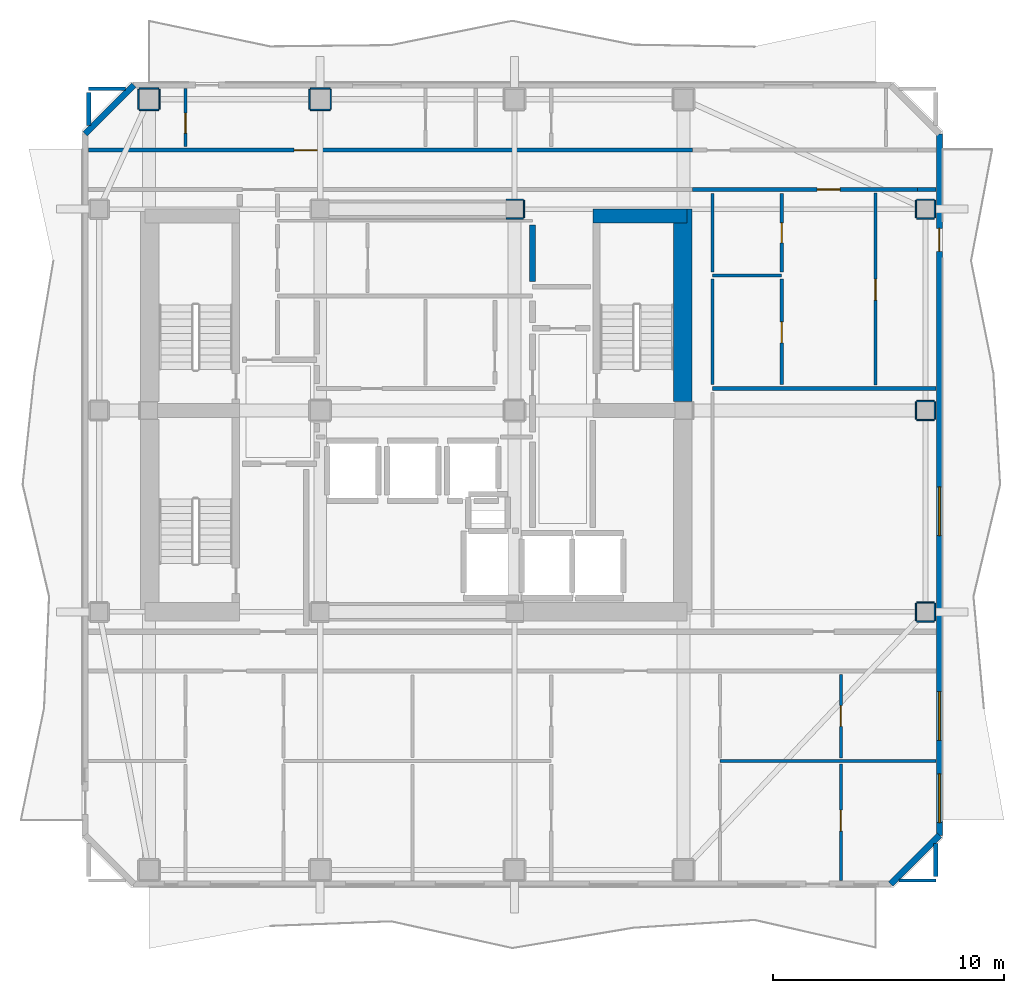
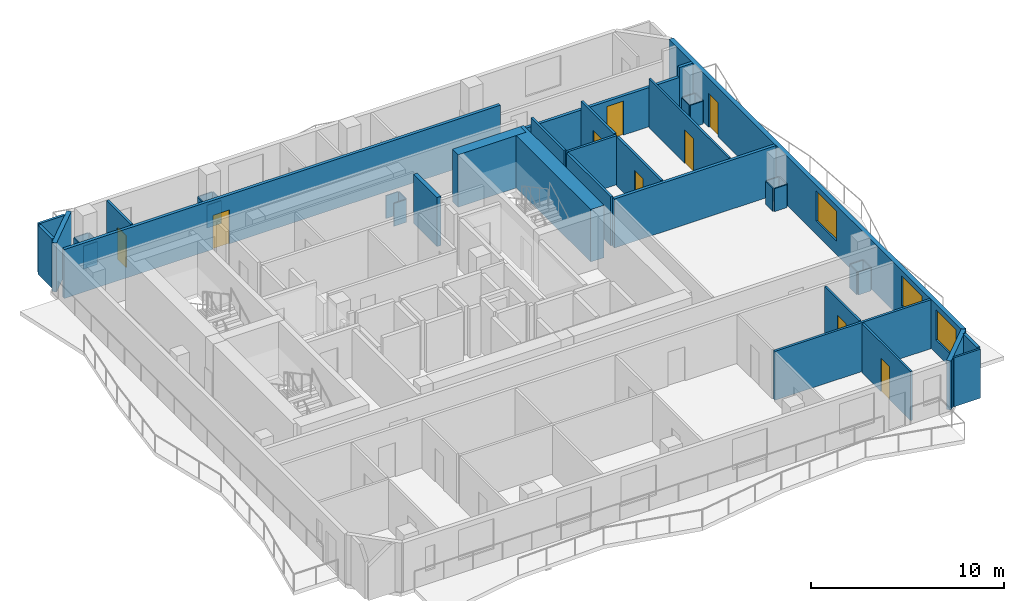
# One storey, part 5 of 9: 47 walls, 9 doors, 3 windows, 12 openings.
"""IFC4 building model written with IfcOpenShell, lengths in metres."""

from ifc_helpers import new_model, si_unit, direction, frame, frame_2d, origin, place, context, subcontext, project, spatial, rectangle, extrude, material, layer, layer_set, type_object, element, fill, save


model = new_model("IFC4")

# Units and contexts
model_context = context("Model", 3, precision=1e-05, world=origin(), true_north=direction((0.0, 1.0)))
body_context = subcontext(model_context, "Body", "Model", "MODEL_VIEW")
ifc_project = project(units=[si_unit("LENGTHUNIT", "METRE"), si_unit("AREAUNIT", "SQUARE_METRE"), si_unit("VOLUMEUNIT", "CUBIC_METRE"), si_unit("PLANEANGLEUNIT", "RADIAN"), si_unit("MASSUNIT", "GRAM", prefix="KILO")], contexts=[model_context])

# Site, building, storey
site_placement = place(None, origin())
site = spatial("IfcSite", under=ifc_project, at=site_placement, CompositionType="ELEMENT")
building_placement = place(site_placement, origin())
building = spatial("IfcBuilding", under=site, at=building_placement, Name="Solanera Arch Residences", CompositionType="ELEMENT")
storey_placement = place(building_placement, frame((0.0, 0.0, 213.39990234375)))
storey = spatial("IfcBuildingStorey", under=building, at=storey_placement, Name="L62", CompositionType="ELEMENT", Elevation=213.39990234375)

# Walls
ifc_material_1 = material(Name="Fire-Rated Gypsum Stud Partition", Category="gypsum")
ifc_layer_1 = layer(ifc_material_1, 0.06005859375)
ifc_layer_set_1 = layer_set([ifc_layer_1], Name="Fire-Rated Gypsum Stud Partition")
wall_type_1 = type_object("IfcWallType", Name="Column Acoustic Furring Wall 60", PredefinedType="PARTITIONING", material=ifc_layer_set_1)
for number, where, z_axis, x_axis, name in (
    (1, (28.8330078125, 38.992919921875, 0.0), (0.0, 0.0, 1.0), (1.0, 0.0, 0.0), "L62 Column Furring 4S"),
    (2, (28.8330078125, 39.806884765625, 0.0), (0.0, 0.0, 1.0), (1.0, 0.0, 0.0), "L62 Column Furring 4N"),
):
    element("IfcWall", number, at=place(storey_placement, frame(where, z_axis=z_axis, x_axis=x_axis)), inside=storey, type_object=wall_type_1, Name=name, PredefinedType="PARTITIONING", context=body_context, shape_type="SweptSolid", body=[
        extrude(rectangle(XDim=0.741943359375, YDim=0.06005859375, at=frame_2d((0.37109375, 0.0))), origin(), (0.0, 0.0, 1.0), 1.4501953125),
    ])
wall_1_placement = place(storey_placement, frame((29.60693359375, 39.02490234375, 0.0), z_axis=(0.0, 0.0, 1.0), x_axis=(0.0, 1.0, 0.0)))
element("IfcWall", 3, at=wall_1_placement, inside=storey, type_object=wall_type_1, Name="L62 Column Furring 4E", PredefinedType="PARTITIONING", context=body_context, shape_type="SweptSolid", body=[
    extrude(rectangle(XDim=0.75, YDim=0.06005859375, at=frame_2d((0.375, 0.0))), origin(), (0.0, 0.0, 1.0), 1.4501953125),
])
for number, where, z_axis, x_axis, name in (
    (4, (12.97509765625, 43.693115234375, 0.0), (0.0, 0.0, 1.0), (1.0, 0.0, 0.0), "L62 Column Furring 10S"),
    (5, (12.97509765625, 44.60693359375, 0.0), (0.0, 0.0, 1.0), (1.0, 0.0, 0.0), "L62 Column Furring 10N"),
    (6, (12.943115234375, 43.72509765625, 0.0), (0.0, 0.0, 1.0), (0.0, 1.0, 0.0), "L62 Column Furring 10W"),
    (7, (13.85693359375, 43.72509765625, 0.0), (0.0, 0.0, 1.0), (0.0, 1.0, 0.0), "L62 Column Furring 10E"),
):
    element("IfcWall", number, at=place(storey_placement, frame(where, z_axis=z_axis, x_axis=x_axis)), inside=storey, type_object=wall_type_1, Name=name, PredefinedType="PARTITIONING", context=body_context, shape_type="SweptSolid", body=[
        extrude(rectangle(XDim=0.849853515625, YDim=0.06005859375, at=frame_2d((0.4248046875, 0.0))), origin(), (0.0, 0.0, 1.0), 1.4501953125),
    ])
for number, where, z_axis, x_axis, name in (
    (8, (20.375, 43.693115234375, 0.0), (0.0, 0.0, 1.0), (1.0, 0.0, 0.0), "L62 Column Furring 12S"),
    (9, (20.375, 44.60693359375, 0.0), (0.0, 0.0, 1.0), (1.0, 0.0, 0.0), "L62 Column Furring 12N"),
):
    element("IfcWall", number, at=place(storey_placement, frame(where, z_axis=z_axis, x_axis=x_axis)), inside=storey, type_object=wall_type_1, Name=name, PredefinedType="PARTITIONING", context=body_context, shape_type="SweptSolid", body=[
        extrude(rectangle(XDim=0.85009765625, YDim=0.06005859375, at=frame_2d((0.425048828125, 0.0))), origin(), (0.0, 0.0, 1.0), 1.4501953125),
    ])
for number, where, z_axis, x_axis, name in (
    (10, (20.343017578125, 43.72509765625, 0.0), (0.0, 0.0, 1.0), (0.0, 1.0, 0.0), "L62 Column Furring 12W"),
    (11, (21.257080078125, 43.72509765625, 0.0), (0.0, 0.0, 1.0), (0.0, 1.0, 0.0), "L62 Column Furring 12E"),
):
    element("IfcWall", number, at=place(storey_placement, frame(where, z_axis=z_axis, x_axis=x_axis)), inside=storey, type_object=wall_type_1, Name=name, PredefinedType="PARTITIONING", context=body_context, shape_type="SweptSolid", body=[
        extrude(rectangle(XDim=0.849853515625, YDim=0.06005859375, at=frame_2d((0.4248046875, 0.0))), origin(), (0.0, 0.0, 1.0), 1.4501953125),
    ])
for number, where, z_axis, x_axis, name in (
    (12, (46.574951171875, 21.593017578125, 0.0), (0.0, 0.0, 1.0), (1.0, 0.0, 0.0), "L62 Column Furring 18S"),
    (13, (46.574951171875, 22.406982421875, 0.0), (0.0, 0.0, 1.0), (1.0, 0.0, 0.0), "L62 Column Furring 18N"),
    (14, (46.54296875, 21.625, 0.0), (0.0, 0.0, 1.0), (0.0, 1.0, 0.0), "L62 Column Furring 18W"),
    (15, (47.35693359375, 21.625, 0.0), (0.0, 0.0, 1.0), (0.0, 1.0, 0.0), "L62 Column Furring 18E"),
    (16, (46.574951171875, 30.29296875, 0.0), (0.0, 0.0, 1.0), (1.0, 0.0, 0.0), "L62 Column Furring 20S"),
    (17, (46.574951171875, 31.10693359375, 0.0), (0.0, 0.0, 1.0), (1.0, 0.0, 0.0), "L62 Column Furring 20N"),
    (18, (46.54296875, 30.324951171875, 0.0), (0.0, 0.0, 1.0), (0.0, 1.0, 0.0), "L62 Column Furring 20W"),
    (19, (47.35693359375, 30.324951171875, 0.0), (0.0, 0.0, 1.0), (0.0, 1.0, 0.0), "L62 Column Furring 20E"),
    (20, (46.574951171875, 38.992919921875, 0.0), (0.0, 0.0, 1.0), (1.0, 0.0, 0.0), "L62 Column Furring 22S"),
    (21, (46.574951171875, 39.806884765625, 0.0), (0.0, 0.0, 1.0), (1.0, 0.0, 0.0), "L62 Column Furring 22N"),
    (22, (46.54296875, 39.02490234375, 0.0), (0.0, 0.0, 1.0), (0.0, 1.0, 0.0), "L62 Column Furring 22W"),
    (23, (47.35693359375, 39.02490234375, 0.0), (0.0, 0.0, 1.0), (0.0, 1.0, 0.0), "L62 Column Furring 22E"),
):
    element("IfcWall", number, at=place(storey_placement, frame(where, z_axis=z_axis, x_axis=x_axis)), inside=storey, type_object=wall_type_1, Name=name, PredefinedType="PARTITIONING", context=body_context, shape_type="SweptSolid", body=[
        extrude(rectangle(XDim=0.75, YDim=0.06005859375, at=frame_2d((0.375, 0.0))), origin(), (0.0, 0.0, 1.0), 1.4501953125),
    ])
ifc_material_2 = material(Name="Concrete C40/50 (f'c = 45 MPa)", Category="concrete")
ifc_layer_2 = layer(ifc_material_2, 0.60009765625)
ifc_layer_set_2 = layer_set([ifc_layer_2], Name="Concrete C40/50 (f'c = 45 MPa)")
wall_type_2 = type_object("IfcWallType", Name="Core Shear Wall CW-600", PredefinedType="SHEAR", material=ifc_layer_set_2)
wall_2_placement = place(storey_placement, frame((32.580078125, 39.10009765625, 0.0), z_axis=(0.0, 0.0, 1.0), x_axis=(1.0, 0.0, 0.0)))
element("IfcWall", 24, at=wall_2_placement, inside=storey, type_object=wall_type_2, Name="L62 North-East Core Shear Wall", PredefinedType="SHEAR", context=body_context, shape_type="SweptSolid", body=[
    extrude(rectangle(XDim=4.079833984375, YDim=0.60009765625, at=frame_2d((2.0400390625, 0.0))), origin(), (0.0, 0.0, 1.0), 3.320068359375),
])
ifc_material_3 = material(Name="Concrete C40/50 (f'c = 45 MPa)", Category="concrete")
ifc_layer_3 = layer(ifc_material_3, 0.800048828125)
ifc_layer_set_3 = layer_set([ifc_layer_3], Name="Concrete C40/50 (f'c = 45 MPa)")
wall_type_3 = type_object("IfcWallType", Name="Core Shear Wall CW-800", PredefinedType="SHEAR", material=ifc_layer_set_3)
wall_3_placement = place(storey_placement, frame((36.4599609375, 31.080078125, 0.0), z_axis=(0.0, 0.0, 1.0), x_axis=(0.0, 1.0, 0.0)))
element("IfcWall", 25, at=wall_3_placement, inside=storey, type_object=wall_type_3, Name="L62 East Core North Shear Wall", PredefinedType="SHEAR", context=body_context, shape_type="SweptSolid", body=[
    extrude(rectangle(XDim=8.31982421875, YDim=0.800048828125, at=frame_2d((4.159912109375, 0.0))), origin(), (0.0, 0.0, 1.0), 3.320068359375),
])
ifc_material_4 = material(Name="Autoclaved Aerated Concrete Blockwork", Category="masonry")
ifc_layer_4 = layer(ifc_material_4, 0.179931640625)
ifc_layer_set_4 = layer_set([ifc_layer_4], Name="Autoclaved Aerated Concrete Blockwork")
wall_type_4 = type_object("IfcWallType", Name="Corridor Fire Partition 180", PredefinedType="PARTITIONING", material=ifc_layer_set_4)
wall_4_placement = place(storey_placement, frame((37.75, 31.64990234375, 0.0), z_axis=(0.0, 0.0, 1.0), x_axis=(1.0, 0.0, 0.0)))
element("IfcWall", 26, at=wall_4_placement, inside=storey, type_object=wall_type_4, Name="L62 Interior Partition H9", PredefinedType="PARTITIONING", context=body_context, shape_type="SweptSolid", body=[
    extrude(rectangle(XDim=9.6630859375, YDim=0.179931640625, at=frame_2d((4.83154296875, 0.0))), origin(), (0.0, 0.0, 1.0), 3.10009765625),
])

# Wall, opening, door
wall_5_placement = place(storey_placement, frame((36.888916015625, 40.25, 0.0), z_axis=(0.0, 0.0, 1.0), x_axis=(1.0, 0.0, 0.0)))
wall_5 = element("IfcWall", 27, at=wall_5_placement, inside=storey, type_object=wall_type_4, Name="L62 Interior Partition H12 2", PredefinedType="PARTITIONING", context=body_context, shape_type="SweptSolid", body=[
    extrude(rectangle(XDim=9.72216796875, YDim=0.179931640625, at=frame_2d((4.861083984375, 0.0))), origin(), (0.0, 0.0, 1.0), 2.47705078125),
])
opening_1_placement = place(wall_5_placement, frame((5.3798828125, 0.0, 0.0)))
opening_1 = element("IfcOpeningElement", 28, at=opening_1_placement, cuts=wall_5, Name="Opening DI-01", PredefinedType="OPENING", context=body_context, shape_type="SweptSolid", body=[
    extrude(rectangle(XDim=1.0, YDim=2.14990234375, at=frame_2d((0.5, 1.074951171875))), frame((0.0, 0.10009765625, 0.0), z_axis=(0.0, -1.0, 0.0), x_axis=(1.0, 0.0, 0.0)), (0.0, 0.0, 1.0), 0.1999),
])
ifc_material_5 = material(Name="Fire-Rated Architectural Hardwood", Category="wood")
door_type_1 = type_object("IfcDoorType", Name="Unit Entrance Fire Door DI-01", OperationType="NOTDEFINED", PredefinedType="DOOR", material=ifc_material_5)
door_1_placement = place(opening_1_placement, origin())
door_1 = element("IfcDoor", 29, at=door_1_placement, inside=storey, type_object=door_type_1, Name="DR-L62-IN-033", OperationType="SINGLE_SWING_RIGHT", OverallHeight=2.14990234375, OverallWidth=1.0, PredefinedType="DOOR", context=body_context, shape_type="SweptSolid", body=[
    extrude(rectangle(XDim=1.0, YDim=2.14990234375, at=frame_2d((0.5, 1.074951171875))), frame((0.0, 0.02490234375, 0.0), z_axis=(0.0, -1.0, 0.0), x_axis=(1.0, 0.0, 0.0)), (0.0, 0.0, 1.0), 0.050048828125),
])
fill(opening_1, door_1)

# Wall
wall_6_placement = place(storey_placement, frame((46.611083984375, 40.25, 0.0), z_axis=(0.0, 0.0, 1.0), x_axis=(1.0, 0.0, 0.0)))
element("IfcWall", 30, at=wall_6_placement, inside=storey, type_object=wall_type_4, Name="L62 Interior Partition H12 3", PredefinedType="PARTITIONING", context=body_context, shape_type="SweptSolid", body=[
    extrude(rectangle(XDim=0.802001953125, YDim=0.179931640625, at=frame_2d((0.40087890625, 0.0))), origin(), (0.0, 0.0, 1.0), 3.10009765625),
])

# Wall, opening, door
wall_7_placement = place(storey_placement, frame((10.787109375, 41.949951171875, 0.0), z_axis=(0.0, 0.0, 1.0), x_axis=(1.0, 0.0, 0.0)))
wall_7 = element("IfcWall", 31, at=wall_7_placement, inside=storey, type_object=wall_type_4, Name="L62 Interior Partition H13 1", PredefinedType="PARTITIONING", context=body_context, shape_type="SweptSolid", body=[
    extrude(rectangle(XDim=26.101806640625, YDim=0.179931640625, at=frame_2d((13.05078125, 0.0))), origin(), (0.0, 0.0, 1.0), 3.10009765625),
])
opening_2_placement = place(wall_7_placement, frame((8.887939453125, 0.0, 0.0)))
opening_2 = element("IfcOpeningElement", 32, at=opening_2_placement, cuts=wall_7, Name="Opening DI-01", PredefinedType="OPENING", context=body_context, shape_type="SweptSolid", body=[
    extrude(rectangle(XDim=1.0, YDim=2.14990234375, at=frame_2d((0.5, 1.074951171875))), frame((0.0, 0.10009765625, 0.0), z_axis=(0.0, -1.0, 0.0), x_axis=(1.0, 0.0, 0.0)), (0.0, 0.0, 1.0), 0.1999),
])
door_2_placement = place(opening_2_placement, origin())
door_2 = element("IfcDoor", 33, at=door_2_placement, inside=storey, type_object=door_type_1, Name="DR-L62-IN-026", OperationType="SINGLE_SWING_LEFT", OverallHeight=2.14990234375, OverallWidth=1.0, PredefinedType="DOOR", context=body_context, shape_type="SweptSolid", body=[
    extrude(rectangle(XDim=1.0, YDim=2.14990234375, at=frame_2d((0.5, 1.074951171875))), frame((0.0, 0.02490234375, 0.0), z_axis=(0.0, -1.0, 0.0), x_axis=(1.0, 0.0, 0.0)), (0.0, 0.0, 1.0), 0.050048828125),
])
fill(opening_2, door_2)

# Walls
wall_8_placement = place(storey_placement, frame((10.800048828125, 43.010986328125, 0.0), z_axis=(0.0, 0.0, 1.0), x_axis=(0.0, 1.0, 0.0)))
element("IfcWall", 34, at=wall_8_placement, inside=storey, type_object=wall_type_4, Name="L62 Interior Partition V7", PredefinedType="PARTITIONING", context=body_context, shape_type="SweptSolid", body=[
    extrude(rectangle(XDim=1.4208984375, YDim=0.179931640625, at=frame_2d((0.71044921875, 0.0))), origin(), (0.0, 0.0, 1.0), 3.10009765625),
])
wall_9_placement = place(storey_placement, frame((47.39990234375, 10.55810546875, 0.0), z_axis=(0.0, 0.0, 1.0), x_axis=(0.0, 1.0, 0.0)))
element("IfcWall", 35, at=wall_9_placement, inside=storey, type_object=wall_type_4, Name="L62 Interior Partition V10 1", PredefinedType="PARTITIONING", context=body_context, shape_type="SweptSolid", body=[
    extrude(rectangle(XDim=1.430908203125, YDim=0.179931640625, at=frame_2d((0.71533203125, 0.0))), origin(), (0.0, 0.0, 1.0), 3.10009765625),
])
ifc_material_6 = material(Name="Precast Concrete C35/45", Category="concrete")
ifc_layer_5 = layer(ifc_material_6, 0.260009765625)
ifc_layer_set_5 = layer_set([ifc_layer_5], Name="Precast Concrete C35/45")
wall_type_5 = type_object("IfcWallType", Name="Exterior Wall Precast Masonry-Frame 260", PredefinedType="STANDARD", material=ifc_layer_set_5)
wall_10_placement = place(storey_placement, frame((10.64501953125, 42.655029296875, 0.0), z_axis=(0.0, 0.0, 1.0), x_axis=(0.707147883682, 0.707065676302, 0.0)))
element("IfcWall", 36, at=wall_10_placement, inside=storey, type_object=wall_type_5, Name="L62 Tower Exterior Precast Masonry-Frame Wall CH1", PredefinedType="STANDARD", context=body_context, shape_type="SweptSolid", body=[
    extrude(rectangle(XDim=2.9697265625, YDim=0.260009765625, at=frame_2d((1.48486328125, 0.0))), origin(), (0.0, 0.0, 1.0), 3.10009765625),
])

# Wall, openings, door, windows
wall_11_placement = place(storey_placement, frame((47.554931640625, 42.655029296875, 0.0), z_axis=(0.0, 0.0, 1.0), x_axis=(0.0, -1.0, 0.0)))
wall_11 = element("IfcWall", 37, at=wall_11_placement, inside=storey, type_object=wall_type_5, Name="L62 Tower Exterior Precast Masonry-Frame Wall E", PredefinedType="STANDARD", context=body_context, shape_type="SweptSolid", body=[
    extrude(rectangle(XDim=30.31005859375, YDim=0.260009765625, at=frame_2d((15.155029296875, 0.0))), origin(), (0.0, 0.0, 1.0), 3.10009765625),
])
opening_3_placement = place(wall_11_placement, frame((4.08203125, 0.0, 0.0)))
opening_3 = element("IfcOpeningElement", 38, at=opening_3_placement, cuts=wall_11, Name="Opening DB-01", PredefinedType="OPENING", context=body_context, shape_type="SweptSolid", body=[
    extrude(rectangle(XDim=1.0, YDim=2.14990234375, at=frame_2d((0.5, 1.074951171875))), frame((0.0, 0.139892578125, 0.0), z_axis=(0.0, -1.0, 0.0), x_axis=(1.0, 0.0, 0.0)), (0.0, 0.0, 1.0), 0.28),
])
opening_4_placement = place(wall_11_placement, frame((24.10107421875, 0.0, 0.85009765625)))
opening_4 = element("IfcOpeningElement", 39, at=opening_4_placement, cuts=wall_11, Name="Opening W-04", PredefinedType="OPENING", context=body_context, shape_type="SweptSolid", body=[
    extrude(rectangle(XDim=2.10009765625, YDim=1.89990234375, at=frame_2d((1.050048828125, 0.949951171875))), frame((0.0, 0.139892578125, 0.0), z_axis=(0.0, -1.0, 0.0), x_axis=(1.0, 0.0, 0.0)), (0.0, 0.0, 1.0), 0.28),
])
opening_5_placement = place(wall_11_placement, frame((27.657958984375, 0.0, 0.85009765625)))
opening_5 = element("IfcOpeningElement", 40, at=opening_5_placement, cuts=wall_11, Name="Opening W-04", PredefinedType="OPENING", context=body_context, shape_type="SweptSolid", body=[
    extrude(rectangle(XDim=2.10009765625, YDim=1.89990234375, at=frame_2d((1.050048828125, 0.949951171875))), frame((0.0, 0.139892578125, 0.0), z_axis=(0.0, -1.0, 0.0), x_axis=(1.0, 0.0, 0.0)), (0.0, 0.0, 1.0), 0.28),
])
opening_6_placement = place(wall_11_placement, frame((15.2548828125, 0.0, 0.85009765625)))
opening_6 = element("IfcOpeningElement", 41, at=opening_6_placement, cuts=wall_11, Name="Opening W-04", PredefinedType="OPENING", context=body_context, shape_type="SweptSolid", body=[
    extrude(rectangle(XDim=2.10009765625, YDim=1.89990234375, at=frame_2d((1.050048828125, 0.949951171875))), frame((0.0, 0.139892578125, 0.0), z_axis=(0.0, -1.0, 0.0), x_axis=(1.0, 0.0, 0.0)), (0.0, 0.0, 1.0), 0.28),
])
ifc_material_7 = material(Name="Anodised Aluminium Alloy 6063-T6", Category="aluminium")
door_type_2 = type_object("IfcDoorType", Name="Glazed Balcony Swing Door DB-01", OperationType="NOTDEFINED", PredefinedType="DOOR", material=ifc_material_7)
door_3_placement = place(opening_3_placement, origin())
door_3 = element("IfcDoor", 42, at=door_3_placement, inside=storey, type_object=door_type_2, Name="DR-L62-OUT-03", OperationType="SINGLE_SWING_RIGHT", OverallHeight=2.14990234375, OverallWidth=1.0, PredefinedType="DOOR", context=body_context, shape_type="SweptSolid", body=[
    extrude(rectangle(XDim=1.0, YDim=2.14990234375, at=frame_2d((0.5, 1.074951171875))), frame((0.0, 0.02490234375, 0.0), z_axis=(0.0, -1.0, 0.0), x_axis=(1.0, 0.0, 0.0)), (0.0, 0.0, 1.0), 0.050048828125),
])
fill(opening_3, door_3)
ifc_material_8 = material(Name="Double Glazed Low-E Laminated Glass", Category="glass")
window_type = type_object("IfcWindowType", Name="Punched Window W-04", PartitioningType="DOUBLE_PANEL_VERTICAL", PredefinedType="WINDOW", material=ifc_material_8)
window_1_placement = place(opening_4_placement, origin())
window_1 = element("IfcWindow", 43, at=window_1_placement, inside=storey, type_object=window_type, Name="L62 6202-STD Punched Window", OverallHeight=1.89990234375, OverallWidth=2.10009765625, PartitioningType="SINGLE_PANEL", PredefinedType="WINDOW", context=body_context, shape_type="SweptSolid", body=[
    extrude(rectangle(XDim=2.10009765625, YDim=1.89990234375, at=frame_2d((1.050048828125, 0.949951171875))), frame((0.0, 0.030029296875, 0.0), z_axis=(0.0, -1.0, 0.0), x_axis=(1.0, 0.0, 0.0)), (0.0, 0.0, 1.0), 0.06005859375),
])
fill(opening_4, window_1)
window_2_placement = place(opening_5_placement, origin())
window_2 = element("IfcWindow", 44, at=window_2_placement, inside=storey, type_object=window_type, Name="L62 6202-BR3 Punched Window", OverallHeight=1.89990234375, OverallWidth=2.10009765625, PartitioningType="SINGLE_PANEL", PredefinedType="WINDOW", context=body_context, shape_type="SweptSolid", body=[
    extrude(rectangle(XDim=2.10009765625, YDim=1.89990234375, at=frame_2d((1.050048828125, 0.949951171875))), frame((0.0, 0.030029296875, 0.0), z_axis=(0.0, -1.0, 0.0), x_axis=(1.0, 0.0, 0.0)), (0.0, 0.0, 1.0), 0.06005859375),
])
fill(opening_5, window_2)
window_3_placement = place(opening_6_placement, origin())
window_3 = element("IfcWindow", 45, at=window_3_placement, inside=storey, type_object=window_type, Name="L62 AMN-STDE Punched Window", OverallHeight=1.89990234375, OverallWidth=2.10009765625, PartitioningType="SINGLE_PANEL", PredefinedType="WINDOW", context=body_context, shape_type="SweptSolid", body=[
    extrude(rectangle(XDim=2.10009765625, YDim=1.89990234375, at=frame_2d((1.050048828125, 0.949951171875))), frame((0.0, 0.030029296875, 0.0), z_axis=(0.0, -1.0, 0.0), x_axis=(1.0, 0.0, 0.0)), (0.0, 0.0, 1.0), 0.06005859375),
])
fill(opening_6, window_3)

# Walls
wall_12_placement = place(storey_placement, frame((47.554931640625, 12.344970703125, 0.0), z_axis=(0.0, 0.0, 1.0), x_axis=(-0.707106781187, -0.707106781187, 0.0)))
element("IfcWall", 46, at=wall_12_placement, inside=storey, type_object=wall_type_5, Name="L62 Tower Exterior Precast Masonry-Frame Wall CH5", PredefinedType="STANDARD", context=body_context, shape_type="SweptSolid", body=[
    extrude(rectangle(XDim=2.9697265625, YDim=0.260009765625, at=frame_2d((1.48486328125, 0.0))), origin(), (0.0, 0.0, 1.0), 3.10009765625),
])
ifc_material_9 = material(Name="Autoclaved Aerated Concrete Blockwork", Category="masonry")
ifc_layer_6 = layer(ifc_material_9, 0.239990234375)
ifc_layer_set_6 = layer_set([ifc_layer_6], Name="Autoclaved Aerated Concrete Blockwork")
wall_type_6 = type_object("IfcWallType", Name="Shaft Wall Fire-Rated 240", PredefinedType="PARTITIONING", material=ifc_layer_set_6)
wall_13_placement = place(storey_placement, frame((29.97509765625, 36.26806640625, 0.0), z_axis=(0.0, 0.0, 1.0), x_axis=(0.0, 1.0, 0.0)))
element("IfcWall", 47, at=wall_13_placement, inside=storey, type_object=wall_type_6, Name="L62 Interior Partition V4 4", PredefinedType="PARTITIONING", context=body_context, shape_type="SweptSolid", body=[
    extrude(rectangle(XDim=2.44384765625, YDim=0.239990234375, at=frame_2d((1.221923828125, 0.0))), origin(), (0.0, 0.0, 1.0), 3.10009765625),
])
ifc_material_10 = material(Name="Fire-Rated Gypsum Stud Partition", Category="gypsum")
ifc_layer_7 = layer(ifc_material_10, 0.1201171875)
ifc_layer_set_7 = layer_set([ifc_layer_7], Name="Fire-Rated Gypsum Stud Partition")
wall_type_7 = type_object("IfcWallType", Name="Unit Drywall Partition 120", PredefinedType="PARTITIONING", material=ifc_layer_set_7)
wall_14_placement = place(storey_placement, frame((45.81103515625, 10.39990234375, 0.0), z_axis=(0.0, 0.0, 1.0), x_axis=(1.0, 0.0, 0.0)))
element("IfcWall", 48, at=wall_14_placement, inside=storey, type_object=wall_type_7, Name="L62 Interior Partition H19 2", PredefinedType="PARTITIONING", context=body_context, shape_type="SweptSolid", body=[
    extrude(rectangle(XDim=1.5888671875, YDim=0.1201171875, at=frame_2d((0.79443359375, 0.0))), origin(), (0.0, 0.0, 1.0), 3.10009765625),
])

# Wall, opening, door
wall_15_placement = place(storey_placement, frame((43.299072265625, 10.386962890625, 0.0), z_axis=(0.0, 0.0, 1.0), x_axis=(0.0, 1.0, 0.0)))
wall_15 = element("IfcWall", 49, at=wall_15_placement, inside=storey, type_object=wall_type_7, Name="L62 Interior Partition V24 1", PredefinedType="PARTITIONING", context=body_context, shape_type="SweptSolid", body=[
    extrude(rectangle(XDim=5.033935546875, YDim=0.1201171875, at=frame_2d((2.51708984375, 0.0))), origin(), (0.0, 0.0, 1.0), 3.10009765625),
])
opening_7_placement = place(wall_15_placement, frame((2.14306640625, 0.0, 0.0)))
opening_7 = element("IfcOpeningElement", 50, at=opening_7_placement, cuts=wall_15, Name="Opening DI-03", PredefinedType="OPENING", context=body_context, shape_type="SweptSolid", body=[
    extrude(rectangle(XDim=0.89990234375, YDim=2.10009765625, at=frame_2d((0.449951171875, 1.050048828125))), frame((0.0, 0.070068359375, 0.0), z_axis=(0.0, -1.0, 0.0), x_axis=(1.0, 0.0, 0.0)), (0.0, 0.0, 1.0), 0.1401),
])
ifc_material_11 = material(Name="Fire-Rated Architectural Hardwood", Category="wood")
door_type_3 = type_object("IfcDoorType", Name="Bedroom Swing Door DI-03", OperationType="NOTDEFINED", PredefinedType="DOOR", material=ifc_material_11)
door_4_placement = place(opening_7_placement, origin())
door_4 = element("IfcDoor", 51, at=door_4_placement, inside=storey, type_object=door_type_3, Name="DR-L62-IN-025", OperationType="SINGLE_SWING_RIGHT", OverallHeight=2.10009765625, OverallWidth=0.89990234375, PredefinedType="DOOR", context=body_context, shape_type="SweptSolid", body=[
    extrude(rectangle(XDim=0.89990234375, YDim=2.10009765625, at=frame_2d((0.449951171875, 1.050048828125))), frame((0.0, 0.02490234375, 0.0), z_axis=(0.0, -1.0, 0.0), x_axis=(1.0, 0.0, 0.0)), (0.0, 0.0, 1.0), 0.050048828125),
])
fill(opening_7, door_4)

wall_16_placement = place(storey_placement, frame((43.299072265625, 15.697021484375, 0.0), z_axis=(0.0, 0.0, 1.0), x_axis=(0.0, 1.0, 0.0)))
wall_16 = element("IfcWall", 52, at=wall_16_placement, inside=storey, type_object=wall_type_7, Name="L62 Interior Partition V24 2", PredefinedType="PARTITIONING", context=body_context, shape_type="SweptSolid", body=[
    extrude(rectangle(XDim=3.594970703125, YDim=0.1201171875, at=frame_2d((1.79736328125, 0.0))), origin(), (0.0, 0.0, 1.0), 3.10009765625),
])
opening_8_placement = place(wall_16_placement, frame((1.35791015625, 0.0, 0.0)))
opening_8 = element("IfcOpeningElement", 53, at=opening_8_placement, cuts=wall_16, Name="Opening DI-02", PredefinedType="OPENING", context=body_context, shape_type="SweptSolid", body=[
    extrude(rectangle(XDim=0.89990234375, YDim=2.10009765625, at=frame_2d((0.449951171875, 1.050048828125))), frame((0.0, 0.070068359375, 0.0), z_axis=(0.0, -1.0, 0.0), x_axis=(1.0, 0.0, 0.0)), (0.0, 0.0, 1.0), 0.1401),
])
ifc_material_12 = material(Name="Fire-Rated Architectural Hardwood", Category="wood")
door_type_4 = type_object("IfcDoorType", Name="Suite Room Swing Door DI-02", OperationType="NOTDEFINED", PredefinedType="DOOR", material=ifc_material_12)
door_5_placement = place(opening_8_placement, origin())
door_5 = element("IfcDoor", 54, at=door_5_placement, inside=storey, type_object=door_type_4, Name="DR-L62-IN-023", OperationType="SINGLE_SWING_RIGHT", OverallHeight=2.10009765625, OverallWidth=0.89990234375, PredefinedType="DOOR", context=body_context, shape_type="SweptSolid", body=[
    extrude(rectangle(XDim=0.89990234375, YDim=2.10009765625, at=frame_2d((0.449951171875, 1.050048828125))), frame((0.0, 0.02490234375, 0.0), z_axis=(0.0, -1.0, 0.0), x_axis=(1.0, 0.0, 0.0)), (0.0, 0.0, 1.0), 0.050048828125),
])
fill(opening_8, door_5)

wall_17_placement = place(storey_placement, frame((44.794921875, 31.80810546875, 0.0), z_axis=(0.0, 0.0, 1.0), x_axis=(0.0, 1.0, 0.0)))
wall_17 = element("IfcWall", 55, at=wall_17_placement, inside=storey, type_object=wall_type_7, Name="L62 Interior Partition V25", PredefinedType="PARTITIONING", context=body_context, shape_type="SweptSolid", body=[
    extrude(rectangle(XDim=8.283935546875, YDim=0.1201171875, at=frame_2d((4.14208984375, 0.0))), origin(), (0.0, 0.0, 1.0), 3.10009765625),
])
opening_9_placement = place(wall_17_placement, frame((3.6669921875, 0.0, 0.0)))
opening_9 = element("IfcOpeningElement", 56, at=opening_9_placement, cuts=wall_17, Name="Opening DI-02", PredefinedType="OPENING", context=body_context, shape_type="SweptSolid", body=[
    extrude(rectangle(XDim=0.89990234375, YDim=2.10009765625, at=frame_2d((0.449951171875, 1.050048828125))), frame((0.0, 0.070068359375, 0.0), z_axis=(0.0, -1.0, 0.0), x_axis=(1.0, 0.0, 0.0)), (0.0, 0.0, 1.0), 0.1401),
])
door_6_placement = place(opening_9_placement, origin())
door_6 = element("IfcDoor", 57, at=door_6_placement, inside=storey, type_object=door_type_4, Name="DR-L62-IN-036", OperationType="SINGLE_SWING_LEFT", OverallHeight=2.10009765625, OverallWidth=0.89990234375, PredefinedType="DOOR", context=body_context, shape_type="SweptSolid", body=[
    extrude(rectangle(XDim=0.89990234375, YDim=2.10009765625, at=frame_2d((0.449951171875, 1.050048828125))), frame((0.0, 0.02490234375, 0.0), z_axis=(0.0, -1.0, 0.0), x_axis=(1.0, 0.0, 0.0)), (0.0, 0.0, 1.0), 0.050048828125),
])
fill(opening_9, door_6)

# Walls
ifc_material_13 = material(Name="Autoclaved Aerated Concrete Blockwork", Category="masonry")
ifc_layer_8 = layer(ifc_material_13, 0.139892578125)
ifc_layer_set_8 = layer_set([ifc_layer_8], Name="Autoclaved Aerated Concrete Blockwork")
wall_type_8 = type_object("IfcWallType", Name="Wet-Room Partition 140", PredefinedType="PARTITIONING", material=ifc_layer_set_8)
wall_18_placement = place(storey_placement, frame((38.080078125, 15.55908203125, 0.0), z_axis=(0.0, 0.0, 1.0), x_axis=(1.0, 0.0, 0.0)))
element("IfcWall", 58, at=wall_18_placement, inside=storey, type_object=wall_type_8, Name="L62 Interior Partition H16", PredefinedType="PARTITIONING", context=body_context, shape_type="SweptSolid", body=[
    extrude(rectangle(XDim=9.3330078125, YDim=0.139892578125, at=frame_2d((4.66650390625, 0.0))), origin(), (0.0, 0.0, 1.0), 3.10009765625),
])
wall_19_placement = place(storey_placement, frame((37.75, 36.531005859375, 0.0), z_axis=(0.0, 0.0, 1.0), x_axis=(1.0, 0.0, 0.0)))
element("IfcWall", 59, at=wall_19_placement, inside=storey, type_object=wall_type_8, Name="L62 Interior Partition H17", PredefinedType="PARTITIONING", context=body_context, shape_type="SweptSolid", body=[
    extrude(rectangle(XDim=2.991943359375, YDim=0.139892578125, at=frame_2d((1.49609375, 0.0))), origin(), (0.0, 0.0, 1.0), 3.10009765625),
])
wall_20_placement = place(storey_placement, frame((10.800048828125, 44.60009765625, 0.0), z_axis=(0.0, 0.0, 1.0), x_axis=(1.0, 0.0, 0.0)))
element("IfcWall", 60, at=wall_20_placement, inside=storey, type_object=wall_type_8, Name="L62 Interior Partition H18 1", PredefinedType="PARTITIONING", context=body_context, shape_type="SweptSolid", body=[
    extrude(rectangle(XDim=1.5888671875, YDim=0.139892578125, at=frame_2d((0.79443359375, 0.0))), origin(), (0.0, 0.0, 1.0), 3.10009765625),
])

# Wall, opening, door
wall_21_placement = place(storey_placement, frame((14.97998046875, 42.117919921875, 0.0), z_axis=(0.0, 0.0, 1.0), x_axis=(0.0, 1.0, 0.0)))
wall_21 = element("IfcWall", 61, at=wall_21_placement, inside=storey, type_object=wall_type_8, Name="L62 Interior Partition V12", PredefinedType="PARTITIONING", context=body_context, shape_type="SweptSolid", body=[
    extrude(rectangle(XDim=2.4951171875, YDim=0.139892578125, at=frame_2d((1.24755859375, 0.0))), origin(), (0.0, 0.0, 1.0), 3.10009765625),
])
opening_10_placement = place(wall_21_placement, frame((0.56689453125, 0.0, 0.0)))
opening_10 = element("IfcOpeningElement", 62, at=opening_10_placement, cuts=wall_21, Name="Opening DI-05", PredefinedType="OPENING", context=body_context, shape_type="SweptSolid", body=[
    extrude(rectangle(XDim=0.860107421875, YDim=2.02001953125, at=frame_2d((0.43017578125, 1.010009765625))), frame((0.0, 0.079833984375, 0.0), z_axis=(0.0, -1.0, 0.0), x_axis=(1.0, 0.0, 0.0)), (0.0, 0.0, 1.0), 0.1599),
])
ifc_material_14 = material(Name="Fire-Rated Architectural Hardwood", Category="wood")
door_type_5 = type_object("IfcDoorType", Name="Bathroom Swing Door DI-05", OperationType="NOTDEFINED", PredefinedType="DOOR", material=ifc_material_14)
door_7_placement = place(opening_10_placement, origin())
door_7 = element("IfcDoor", 63, at=door_7_placement, inside=storey, type_object=door_type_5, Name="DR-L62-IN-027", OperationType="SINGLE_SWING_RIGHT", OverallHeight=2.02001953125, OverallWidth=0.860107421875, PredefinedType="DOOR", context=body_context, shape_type="SweptSolid", body=[
    extrude(rectangle(XDim=0.860107421875, YDim=2.02001953125, at=frame_2d((0.43017578125, 1.010009765625))), frame((0.0, 0.02490234375, 0.0), z_axis=(0.0, -1.0, 0.0), x_axis=(1.0, 0.0, 0.0)), (0.0, 0.0, 1.0), 0.050048828125),
])
fill(opening_10, door_7)

# Walls
wall_22_placement = place(storey_placement, frame((37.75, 31.818115234375, 0.0), z_axis=(0.0, 0.0, 1.0), x_axis=(0.0, 1.0, 0.0)))
element("IfcWall", 64, at=wall_22_placement, inside=storey, type_object=wall_type_8, Name="L62 Interior Partition V17 2", PredefinedType="PARTITIONING", context=body_context, shape_type="SweptSolid", body=[
    extrude(rectangle(XDim=4.56494140625, YDim=0.139892578125, at=frame_2d((2.282470703125, 0.0))), origin(), (0.0, 0.0, 1.0), 3.10009765625),
])
wall_23_placement = place(storey_placement, frame((37.75, 36.678955078125, 0.0), z_axis=(0.0, 0.0, 1.0), x_axis=(0.0, 1.0, 0.0)))
element("IfcWall", 65, at=wall_23_placement, inside=storey, type_object=wall_type_8, Name="L62 Interior Partition V17 3", PredefinedType="PARTITIONING", context=body_context, shape_type="SweptSolid", body=[
    extrude(rectangle(XDim=3.403076171875, YDim=0.139892578125, at=frame_2d((1.70166015625, 0.0))), origin(), (0.0, 0.0, 1.0), 3.10009765625),
])

# Wall, opening, door
wall_24_placement = place(storey_placement, frame((40.741943359375, 31.818115234375, 0.0), z_axis=(0.0, 0.0, 1.0), x_axis=(0.0, 1.0, 0.0)))
wall_24 = element("IfcWall", 66, at=wall_24_placement, inside=storey, type_object=wall_type_8, Name="L62 Interior Partition V18 1", PredefinedType="PARTITIONING", context=body_context, shape_type="SweptSolid", body=[
    extrude(rectangle(XDim=4.56494140625, YDim=0.139892578125, at=frame_2d((2.282470703125, 0.0))), origin(), (0.0, 0.0, 1.0), 3.10009765625),
])
opening_11_placement = place(wall_24_placement, frame((1.81005859375, 0.0, 0.0)))
opening_11 = element("IfcOpeningElement", 67, at=opening_11_placement, cuts=wall_24, Name="Opening DI-03", PredefinedType="OPENING", context=body_context, shape_type="SweptSolid", body=[
    extrude(rectangle(XDim=0.89990234375, YDim=2.10009765625, at=frame_2d((0.449951171875, 1.050048828125))), frame((0.0, 0.079833984375, 0.0), z_axis=(0.0, -1.0, 0.0), x_axis=(1.0, 0.0, 0.0)), (0.0, 0.0, 1.0), 0.1599),
])
door_8_placement = place(opening_11_placement, origin())
door_8 = element("IfcDoor", 68, at=door_8_placement, inside=storey, type_object=door_type_3, Name="DR-L62-IN-035", OperationType="SINGLE_SWING_RIGHT", OverallHeight=2.10009765625, OverallWidth=0.89990234375, PredefinedType="DOOR", context=body_context, shape_type="SweptSolid", body=[
    extrude(rectangle(XDim=0.89990234375, YDim=2.10009765625, at=frame_2d((0.449951171875, 1.050048828125))), frame((0.0, 0.02490234375, 0.0), z_axis=(0.0, -1.0, 0.0), x_axis=(1.0, 0.0, 0.0)), (0.0, 0.0, 1.0), 0.050048828125),
])
fill(opening_11, door_8)

wall_25_placement = place(storey_placement, frame((40.741943359375, 36.678955078125, 0.0), z_axis=(0.0, 0.0, 1.0), x_axis=(0.0, 1.0, 0.0)))
wall_25 = element("IfcWall", 69, at=wall_25_placement, inside=storey, type_object=wall_type_8, Name="L62 Interior Partition V18 2", PredefinedType="PARTITIONING", context=body_context, shape_type="SweptSolid", body=[
    extrude(rectangle(XDim=3.403076171875, YDim=0.139892578125, at=frame_2d((1.70166015625, 0.0))), origin(), (0.0, 0.0, 1.0), 3.10009765625),
])
opening_12_placement = place(wall_25_placement, frame((1.26904296875, 0.0, 0.0)))
opening_12 = element("IfcOpeningElement", 70, at=opening_12_placement, cuts=wall_25, Name="Opening DI-05", PredefinedType="OPENING", context=body_context, shape_type="SweptSolid", body=[
    extrude(rectangle(XDim=0.860107421875, YDim=2.02001953125, at=frame_2d((0.43017578125, 1.010009765625))), frame((0.0, 0.079833984375, 0.0), z_axis=(0.0, -1.0, 0.0), x_axis=(1.0, 0.0, 0.0)), (0.0, 0.0, 1.0), 0.1599),
])
door_9_placement = place(opening_12_placement, origin())
door_9 = element("IfcDoor", 71, at=door_9_placement, inside=storey, type_object=door_type_5, Name="DR-L62-IN-034", OperationType="SINGLE_SWING_LEFT", OverallHeight=2.02001953125, OverallWidth=0.860107421875, PredefinedType="DOOR", context=body_context, shape_type="SweptSolid", body=[
    extrude(rectangle(XDim=0.860107421875, YDim=2.02001953125, at=frame_2d((0.43017578125, 1.010009765625))), frame((0.0, 0.02490234375, 0.0), z_axis=(0.0, -1.0, 0.0), x_axis=(1.0, 0.0, 0.0)), (0.0, 0.0, 1.0), 0.050048828125),
])
fill(opening_12, door_9)

save(model, "model.ifc")
